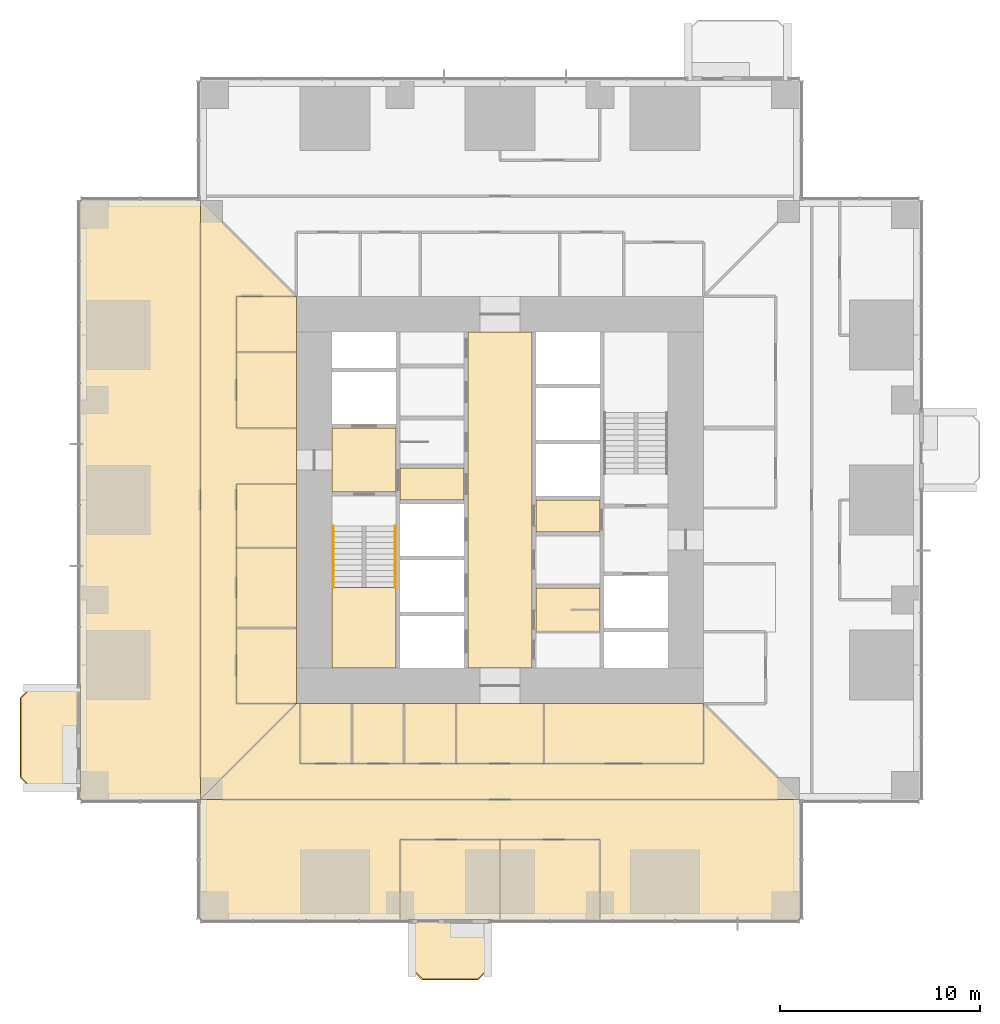
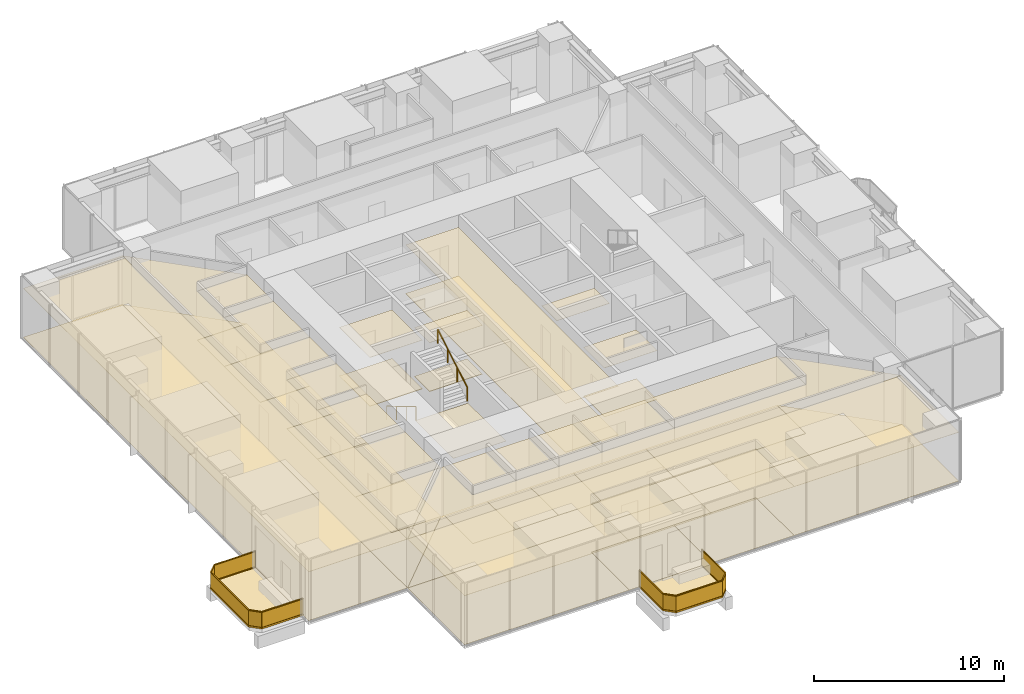
# One storey, part 15 of 17: 44 coverings, 4 railings.
"""IFC4 building model written with IfcOpenShell, lengths in metres."""

from ifc_helpers import new_model, si_unit, direction, frame, origin, origin_2d, place, context, subcontext, project, spatial, polyline, rectangle, circle, outline, extrude, material, layer, layer_set, type_object, element, save


model = new_model("IFC4")

# Units and contexts
model_context = context("Model", 3, precision=1e-05, world=origin(), true_north=direction((0.0, 1.0)))
body_context = subcontext(model_context, "Body", "Model", "MODEL_VIEW")
ifc_project = project(units=[si_unit("LENGTHUNIT", "METRE"), si_unit("AREAUNIT", "SQUARE_METRE"), si_unit("VOLUMEUNIT", "CUBIC_METRE"), si_unit("PLANEANGLEUNIT", "RADIAN"), si_unit("MASSUNIT", "GRAM", prefix="KILO")], contexts=[model_context])

# Site, building, storey
site_placement = place(None, origin())
site = spatial("IfcSite", under=ifc_project, at=site_placement, CompositionType="ELEMENT")
building_placement = place(site_placement, origin())
building = spatial("IfcBuilding", under=site, at=building_placement, Name="Svetlomir Tower", CompositionType="ELEMENT")
storey_placement = place(building_placement, frame((0.0, 0.0, 62.5)))
storey = spatial("IfcBuildingStorey", under=building, at=storey_placement, Name="L14", CompositionType="ELEMENT", Elevation=62.5)

# Railings
ifc_material_1 = material(Name="Bronze anodised aluminium and laminated glass", Category="aluminium")
railing_type_1 = type_object("IfcRailingType", Name="BALCONY GUARD GR1 1100", PredefinedType="GUARDRAIL", material=ifc_material_1)
railing_1_placement = place(storey_placement, frame((16.60009765625, 0.0, 0.0)))
element("IfcRailing", 1, at=railing_1_placement, inside=storey, type_object=railing_type_1, Name="Balcony guard S L14", PredefinedType="GUARDRAIL", context=body_context, shape_type="SweptSolid", body=[
    extrude(rectangle(XDim=0.06005859375, YDim=0.10009765625, at=origin_2d()), frame((0.0, 0.0, 0.050048828125), z_axis=(0.0, -1.0, 0.0), x_axis=(1.0, 0.0, 0.0)), (0.0, 0.0, 1.0), 2.5),
    extrude(rectangle(XDim=0.021484375, YDim=0.960205078125, at=origin_2d()), frame((0.0, 0.0, 0.580078125), z_axis=(0.0, -1.0, 0.0), x_axis=(1.0, 0.0, 0.0)), (0.0, 0.0, 1.0), 2.5),
    extrude(rectangle(XDim=0.06005859375, YDim=0.0400390625, at=origin_2d()), frame((0.0, 0.0, 1.080078125), z_axis=(0.0, -1.0, 0.0), x_axis=(1.0, 0.0, 0.0)), (0.0, 0.0, 1.0), 2.5),
    extrude(rectangle(XDim=0.06005859375, YDim=0.10009765625, at=origin_2d()), frame((0.0, -2.5, 0.050048828125), z_axis=(0.707106781187, -0.707106781187, 0.0), x_axis=(0.707106781187, 0.707106781187, 0.0)), (0.0, 0.0, 1.0), 0.70703125),
    extrude(rectangle(XDim=0.021484375, YDim=0.960205078125, at=origin_2d()), frame((0.0, -2.5, 0.580078125), z_axis=(0.707106781187, -0.707106781187, 0.0), x_axis=(0.707106781187, 0.707106781187, 0.0)), (0.0, 0.0, 1.0), 0.70703125),
    extrude(rectangle(XDim=0.06005859375, YDim=0.0400390625, at=origin_2d()), frame((0.0, -2.5, 1.080078125), z_axis=(0.707106781187, -0.707106781187, 0.0), x_axis=(0.707106781187, 0.707106781187, 0.0)), (0.0, 0.0, 1.0), 0.70703125),
    extrude(rectangle(XDim=0.06005859375, YDim=0.10009765625, at=origin_2d()), frame((0.5, -3.0, 0.050048828125), z_axis=(1.0, 0.0, 0.0), x_axis=(0.0, 1.0, 0.0)), (0.0, 0.0, 1.0), 2.7998046875),
    extrude(rectangle(XDim=0.021484375, YDim=0.960205078125, at=origin_2d()), frame((0.5, -3.0, 0.580078125), z_axis=(1.0, 0.0, 0.0), x_axis=(0.0, 1.0, 0.0)), (0.0, 0.0, 1.0), 2.7998046875),
    extrude(rectangle(XDim=0.06005859375, YDim=0.0400390625, at=origin_2d()), frame((0.5, -3.0, 1.080078125), z_axis=(1.0, 0.0, 0.0), x_axis=(0.0, 1.0, 0.0)), (0.0, 0.0, 1.0), 2.7998046875),
    extrude(rectangle(XDim=0.06005859375, YDim=0.10009765625, at=origin_2d()), frame((3.2998046875, -3.0, 0.050048828125), z_axis=(0.707106781187, 0.707106781187, 0.0), x_axis=(-0.707106781187, 0.707106781187, 0.0)), (0.0, 0.0, 1.0), 0.70703125),
    extrude(rectangle(XDim=0.021484375, YDim=0.960205078125, at=origin_2d()), frame((3.2998046875, -3.0, 0.580078125), z_axis=(0.707106781187, 0.707106781187, 0.0), x_axis=(-0.707106781187, 0.707106781187, 0.0)), (0.0, 0.0, 1.0), 0.70703125),
    extrude(rectangle(XDim=0.06005859375, YDim=0.0400390625, at=origin_2d()), frame((3.2998046875, -3.0, 1.080078125), z_axis=(0.707106781187, 0.707106781187, 0.0), x_axis=(-0.707106781187, 0.707106781187, 0.0)), (0.0, 0.0, 1.0), 0.70703125),
    extrude(rectangle(XDim=0.06005859375, YDim=0.10009765625, at=origin_2d()), frame((3.7998046875, -2.5, 0.050048828125), z_axis=(0.0, 1.0, 0.0), x_axis=(-1.0, 0.0, 0.0)), (0.0, 0.0, 1.0), 2.5),
    extrude(rectangle(XDim=0.021484375, YDim=0.960205078125, at=origin_2d()), frame((3.7998046875, -2.5, 0.580078125), z_axis=(0.0, 1.0, 0.0), x_axis=(-1.0, 0.0, 0.0)), (0.0, 0.0, 1.0), 2.5),
    extrude(rectangle(XDim=0.06005859375, YDim=0.0400390625, at=origin_2d()), frame((3.7998046875, -2.5, 1.080078125), z_axis=(0.0, 1.0, 0.0), x_axis=(-1.0, 0.0, 0.0)), (0.0, 0.0, 1.0), 2.5),
])
railing_2_placement = place(storey_placement, frame((0.0, 11.60009765625, 0.0)))
element("IfcRailing", 2, at=railing_2_placement, inside=storey, type_object=railing_type_1, Name="Balcony guard W L14", PredefinedType="GUARDRAIL", context=body_context, shape_type="SweptSolid", body=[
    extrude(rectangle(XDim=0.06005859375, YDim=0.10009765625, at=origin_2d()), frame((0.0, 0.0, 0.050048828125), z_axis=(-1.0, 0.0, 0.0), x_axis=(0.0, -1.0, 0.0)), (0.0, 0.0, 1.0), 2.5),
    extrude(rectangle(XDim=0.021484375, YDim=0.960205078125, at=origin_2d()), frame((0.0, 0.0, 0.580078125), z_axis=(-1.0, 0.0, 0.0), x_axis=(0.0, -1.0, 0.0)), (0.0, 0.0, 1.0), 2.5),
    extrude(rectangle(XDim=0.06005859375, YDim=0.0400390625, at=origin_2d()), frame((0.0, 0.0, 1.080078125), z_axis=(-1.0, 0.0, 0.0), x_axis=(0.0, -1.0, 0.0)), (0.0, 0.0, 1.0), 2.5),
    extrude(rectangle(XDim=0.06005859375, YDim=0.10009765625, at=origin_2d()), frame((-2.5, 0.0, 0.050048828125), z_axis=(-0.707106781187, -0.707106781187, 0.0), x_axis=(0.707106781187, -0.707106781187, 0.0)), (0.0, 0.0, 1.0), 0.70703125),
    extrude(rectangle(XDim=0.021484375, YDim=0.960205078125, at=origin_2d()), frame((-2.5, 0.0, 0.580078125), z_axis=(-0.707106781187, -0.707106781187, 0.0), x_axis=(0.707106781187, -0.707106781187, 0.0)), (0.0, 0.0, 1.0), 0.70703125),
    extrude(rectangle(XDim=0.06005859375, YDim=0.0400390625, at=origin_2d()), frame((-2.5, 0.0, 1.080078125), z_axis=(-0.707106781187, -0.707106781187, 0.0), x_axis=(0.707106781187, -0.707106781187, 0.0)), (0.0, 0.0, 1.0), 0.70703125),
    extrude(rectangle(XDim=0.06005859375, YDim=0.10009765625, at=origin_2d()), frame((-3.0, -0.5, 0.050048828125), z_axis=(0.0, -1.0, 0.0), x_axis=(1.0, 0.0, 0.0)), (0.0, 0.0, 1.0), 4.0),
    extrude(rectangle(XDim=0.021484375, YDim=0.960205078125, at=origin_2d()), frame((-3.0, -0.5, 0.580078125), z_axis=(0.0, -1.0, 0.0), x_axis=(1.0, 0.0, 0.0)), (0.0, 0.0, 1.0), 4.0),
    extrude(rectangle(XDim=0.06005859375, YDim=0.0400390625, at=origin_2d()), frame((-3.0, -0.5, 1.080078125), z_axis=(0.0, -1.0, 0.0), x_axis=(1.0, 0.0, 0.0)), (0.0, 0.0, 1.0), 4.0),
    extrude(rectangle(XDim=0.06005859375, YDim=0.10009765625, at=origin_2d()), frame((-3.0, -4.5, 0.050048828125), z_axis=(0.707106781187, -0.707106781187, 0.0), x_axis=(0.707106781187, 0.707106781187, 0.0)), (0.0, 0.0, 1.0), 0.70703125),
    extrude(rectangle(XDim=0.021484375, YDim=0.960205078125, at=origin_2d()), frame((-3.0, -4.5, 0.580078125), z_axis=(0.707106781187, -0.707106781187, 0.0), x_axis=(0.707106781187, 0.707106781187, 0.0)), (0.0, 0.0, 1.0), 0.70703125),
    extrude(rectangle(XDim=0.06005859375, YDim=0.0400390625, at=origin_2d()), frame((-3.0, -4.5, 1.080078125), z_axis=(0.707106781187, -0.707106781187, 0.0), x_axis=(0.707106781187, 0.707106781187, 0.0)), (0.0, 0.0, 1.0), 0.70703125),
    extrude(rectangle(XDim=0.06005859375, YDim=0.10009765625, at=origin_2d()), frame((-2.5, -5.0, 0.050048828125), z_axis=(1.0, 0.0, 0.0), x_axis=(0.0, 1.0, 0.0)), (0.0, 0.0, 1.0), 2.5),
    extrude(rectangle(XDim=0.021484375, YDim=0.960205078125, at=origin_2d()), frame((-2.5, -5.0, 0.580078125), z_axis=(1.0, 0.0, 0.0), x_axis=(0.0, 1.0, 0.0)), (0.0, 0.0, 1.0), 2.5),
    extrude(rectangle(XDim=0.06005859375, YDim=0.0400390625, at=origin_2d()), frame((-2.5, -5.0, 1.080078125), z_axis=(1.0, 0.0, 0.0), x_axis=(0.0, 1.0, 0.0)), (0.0, 0.0, 1.0), 2.5),
])

# Coverings
ifc_material_2 = material(Name="Granite paving slabs on pedestals", Category="masonry")
ifc_layer_1 = layer(ifc_material_2, 0.0400390625)
ifc_layer_set_1 = layer_set([ifc_layer_1], Name="Granite paving slabs on pedestals")
covering_type_1 = type_object("IfcCoveringType", Name="BALCONY PAVING 40", PredefinedType="USERDEFINED", material=ifc_layer_set_1)
covering_1_placement = place(storey_placement, origin())
element("IfcCovering", 3, at=covering_1_placement, inside=storey, type_object=covering_type_1, Name="Balcony paving S L14", ObjectType="BALCONY PAVING", PredefinedType="USERDEFINED", context=body_context, shape_type="SweptSolid", body=[
    extrude(outline(polyline([(16.60009765625, -2.5), (17.10009765625, -3.0), (19.89990234375, -3.0), (20.39990234375, -2.5), (20.39990234375, 0.0), (16.60009765625, 0.0), (16.60009765625, -2.5)])), origin(), (0.0, 0.0, 1.0), 0.0400390625),
])
covering_2_placement = place(storey_placement, origin())
element("IfcCovering", 4, at=covering_2_placement, inside=storey, type_object=covering_type_1, Name="Balcony paving W L14", ObjectType="BALCONY PAVING", PredefinedType="USERDEFINED", context=body_context, shape_type="SweptSolid", body=[
    extrude(outline(polyline([(-2.5, 6.60009765625), (0.0, 6.60009765625), (0.0, 11.60009765625), (-2.5, 11.60009765625), (-3.0, 11.10009765625), (-3.0, 7.10009765625), (-2.5, 6.60009765625)])), origin(), (0.0, 0.0, 1.0), 0.0400390625),
])
ifc_material_3 = material(Name="Carpet tile", Category="textile")
ifc_layer_2 = layer(ifc_material_3, 0.010009765625)
ifc_layer_set_2 = layer_set([ifc_layer_2], Name="Carpet tile")
covering_type_2 = type_object("IfcCoveringType", Name="CARPET TILE FLOOR 10", PredefinedType="FLOORING", material=ifc_layer_set_2)
covering_3_placement = place(storey_placement, origin())
element("IfcCovering", 5, at=covering_3_placement, inside=storey, type_object=covering_type_2, Name="Floor finish L14-14", PredefinedType="FLOORING", context=body_context, shape_type="SweptSolid", body=[
    extrude(outline(polyline([(11.0, 7.800048828125), (13.60009765625, 7.800048828125), (13.60009765625, 10.800048828125), (11.0, 10.800048828125), (11.0, 7.800048828125)])), origin(), (0.0, 0.0, 1.0), 0.010009765625),
])
covering_4_placement = place(storey_placement, origin())
element("IfcCovering", 6, at=covering_4_placement, inside=storey, type_object=covering_type_2, Name="Floor finish L14-15", PredefinedType="FLOORING", context=body_context, shape_type="SweptSolid", body=[
    extrude(outline(polyline([(13.60009765625, 7.800048828125), (16.199951171875, 7.800048828125), (16.199951171875, 10.800048828125), (13.60009765625, 10.800048828125), (13.60009765625, 7.800048828125)])), origin(), (0.0, 0.0, 1.0), 0.010009765625),
])
covering_5_placement = place(storey_placement, origin())
element("IfcCovering", 7, at=covering_5_placement, inside=storey, type_object=covering_type_2, Name="Floor finish L14-16", PredefinedType="FLOORING", context=body_context, shape_type="SweptSolid", body=[
    extrude(outline(polyline([(16.199951171875, 7.800048828125), (18.800048828125, 7.800048828125), (18.800048828125, 10.800048828125), (16.199951171875, 10.800048828125), (16.199951171875, 7.800048828125)])), origin(), (0.0, 0.0, 1.0), 0.010009765625),
])
covering_6_placement = place(storey_placement, origin())
element("IfcCovering", 8, at=covering_6_placement, inside=storey, type_object=covering_type_2, Name="Floor finish L14-17", PredefinedType="FLOORING", context=body_context, shape_type="SweptSolid", body=[
    extrude(outline(polyline([(23.199951171875, 7.800048828125), (31.199951171875, 7.800048828125), (31.199951171875, 10.800048828125), (23.199951171875, 10.800048828125), (23.199951171875, 7.800048828125)])), origin(), (0.0, 0.0, 1.0), 0.010009765625),
])
covering_7_placement = place(storey_placement, origin())
element("IfcCovering", 9, at=covering_7_placement, inside=storey, type_object=covering_type_2, Name="Floor finish L14-18", PredefinedType="FLOORING", context=body_context, shape_type="SweptSolid", body=[
    extrude(outline(polyline([(16.0, 0.0), (21.0, 0.0), (21.0, 4.0), (16.0, 4.0), (16.0, 0.0)])), origin(), (0.0, 0.0, 1.0), 0.010009765625),
])
covering_8_placement = place(storey_placement, origin())
element("IfcCovering", 10, at=covering_8_placement, inside=storey, type_object=covering_type_2, Name="Floor finish L14-19", PredefinedType="FLOORING", context=body_context, shape_type="SweptSolid", body=[
    extrude(outline(polyline([(21.0, 0.0), (26.0, 0.0), (26.0, 4.0), (21.0, 4.0), (21.0, 0.0)])), origin(), (0.0, 0.0, 1.0), 0.010009765625),
])
covering_9_placement = place(storey_placement, origin())
element("IfcCovering", 11, at=covering_9_placement, inside=storey, type_object=covering_type_2, Name="Floor finish L14-30", PredefinedType="FLOORING", context=body_context, shape_type="SweptSolid", body=[
    extrude(outline(polyline([(7.800048828125, 10.800048828125), (10.800048828125, 10.800048828125), (10.800048828125, 14.60009765625), (7.800048828125, 14.60009765625), (7.800048828125, 10.800048828125)])), origin(), (0.0, 0.0, 1.0), 0.010009765625),
])
covering_10_placement = place(storey_placement, origin())
element("IfcCovering", 12, at=covering_10_placement, inside=storey, type_object=covering_type_2, Name="Floor finish L14-31", PredefinedType="FLOORING", context=body_context, shape_type="SweptSolid", body=[
    extrude(outline(polyline([(7.800048828125, 14.60009765625), (10.800048828125, 14.60009765625), (10.800048828125, 18.60009765625), (7.800048828125, 18.60009765625), (7.800048828125, 14.60009765625)])), origin(), (0.0, 0.0, 1.0), 0.010009765625),
])
covering_11_placement = place(storey_placement, origin())
element("IfcCovering", 13, at=covering_11_placement, inside=storey, type_object=covering_type_2, Name="Floor finish L14-32", PredefinedType="FLOORING", context=body_context, shape_type="SweptSolid", body=[
    extrude(outline(polyline([(7.800048828125, 24.60009765625), (10.800048828125, 24.60009765625), (10.800048828125, 28.39990234375), (7.800048828125, 28.39990234375), (7.800048828125, 24.60009765625)])), origin(), (0.0, 0.0, 1.0), 0.010009765625),
])
covering_12_placement = place(storey_placement, origin())
element("IfcCovering", 14, at=covering_12_placement, inside=storey, type_object=covering_type_2, Name="Floor finish L14-33", PredefinedType="FLOORING", context=body_context, shape_type="SweptSolid", body=[
    extrude(outline(polyline([(36.0, 6.0), (6.0, 6.0), (10.800048828125, 10.800048828125), (11.0, 10.800048828125), (11.0, 7.800048828125), (31.199951171875, 7.800048828125), (31.199951171875, 10.800048828125), (36.0, 6.0)])), origin(), (0.0, 0.0, 1.0), 0.010009765625),
])
covering_13_placement = place(storey_placement, origin())
element("IfcCovering", 15, at=covering_13_placement, inside=storey, type_object=covering_type_2, Name="Floor finish L14-36", PredefinedType="FLOORING", context=body_context, shape_type="SweptSolid", body=[
    extrude(outline(polyline([(6.0, 36.0), (10.800048828125, 31.199951171875), (7.800048828125, 31.199951171875), (7.800048828125, 24.60009765625), (10.800048828125, 24.60009765625), (10.800048828125, 21.800048828125), (7.800048828125, 21.800048828125), (7.800048828125, 10.800048828125), (10.800048828125, 10.800048828125), (6.0, 6.0), (6.0, 36.0)])), origin(), (0.0, 0.0, 1.0), 0.010009765625),
])
covering_14_placement = place(storey_placement, origin())
element("IfcCovering", 16, at=covering_14_placement, inside=storey, type_object=covering_type_2, Name="Floor finish L14-37", PredefinedType="FLOORING", context=body_context, shape_type="SweptSolid", body=[
    extrude(outline(polyline([(36.0, 6.0), (36.0, 0.0), (26.0, 0.0), (26.0, 4.0), (16.0, 4.0), (16.0, 0.0), (6.0, 0.0), (6.0, 6.0), (36.0, 6.0)])), origin(), (0.0, 0.0, 1.0), 0.010009765625),
])
covering_15_placement = place(storey_placement, origin())
element("IfcCovering", 17, at=covering_15_placement, inside=storey, type_object=covering_type_2, Name="Floor finish L14-38", PredefinedType="FLOORING", context=body_context, shape_type="SweptSolid", body=[
    extrude(outline(polyline([(23.199951171875, 10.800048828125), (23.199951171875, 7.800048828125), (18.800048828125, 7.800048828125), (18.800048828125, 10.800048828125), (23.199951171875, 10.800048828125)])), origin(), (0.0, 0.0, 1.0), 0.010009765625),
])
covering_16_placement = place(storey_placement, origin())
element("IfcCovering", 18, at=covering_16_placement, inside=storey, type_object=covering_type_2, Name="Floor finish L14-43", PredefinedType="FLOORING", context=body_context, shape_type="SweptSolid", body=[
    extrude(outline(polyline([(0.0, 36.0), (6.0, 36.0), (6.0, 6.0), (0.0, 6.0), (0.0, 36.0)])), origin(), (0.0, 0.0, 1.0), 0.010009765625),
])
covering_17_placement = place(storey_placement, origin())
element("IfcCovering", 19, at=covering_17_placement, inside=storey, type_object=covering_type_2, Name="Floor finish L14-44", PredefinedType="FLOORING", context=body_context, shape_type="SweptSolid", body=[
    extrude(outline(polyline([(7.800048828125, 28.39990234375), (7.800048828125, 31.199951171875), (10.800048828125, 31.199951171875), (10.800048828125, 28.39990234375), (7.800048828125, 28.39990234375)])), origin(), (0.0, 0.0, 1.0), 0.010009765625),
])
covering_18_placement = place(storey_placement, origin())
element("IfcCovering", 20, at=covering_18_placement, inside=storey, type_object=covering_type_2, Name="Floor finish L14-45", PredefinedType="FLOORING", context=body_context, shape_type="SweptSolid", body=[
    extrude(outline(polyline([(7.800048828125, 18.60009765625), (7.800048828125, 21.800048828125), (10.800048828125, 21.800048828125), (10.800048828125, 18.60009765625), (7.800048828125, 18.60009765625)])), origin(), (0.0, 0.0, 1.0), 0.010009765625),
])
ifc_material_4 = material(Name="Ceramic floor tile", Category="ceramic")
ifc_layer_3 = layer(ifc_material_4, 0.014892578125)
ifc_layer_set_3 = layer_set([ifc_layer_3], Name="Ceramic floor tile")
covering_type_3 = type_object("IfcCoveringType", Name="CERAMIC TILE FLOOR 15", PredefinedType="FLOORING", material=ifc_layer_set_3)
covering_19_placement = place(storey_placement, origin())
element("IfcCovering", 21, at=covering_19_placement, inside=storey, type_object=covering_type_3, Name="Floor finish L14-09", PredefinedType="FLOORING", context=body_context, shape_type="SweptSolid", body=[
    extrude(outline(polyline([(22.800048828125, 14.39990234375), (26.0, 14.39990234375), (26.0, 16.60009765625), (22.800048828125, 16.60009765625), (22.800048828125, 14.39990234375)])), origin(), (0.0, 0.0, 1.0), 0.014892578125),
])

# Railings
ifc_material_5 = material(Name="Stainless steel", Category="steel")
railing_type_2 = type_object("IfcRailingType", Name="HANDRAIL HR1 900", PredefinedType="HANDRAIL", material=ifc_material_5)
railing_3_placement = place(storey_placement, frame((12.64990234375, 19.699951171875, 0.166748046875)))
element("IfcRailing", 22, at=railing_3_placement, inside=storey, type_object=railing_type_2, Name="Handrail S1 flight 1 L14", PredefinedType="HANDRAIL", context=body_context, shape_type="SweptSolid", body=[
    extrude(circle(Radius=0.02392578125, at=origin_2d()), frame((0.0, 0.0, 0.8759765625), z_axis=(0.0, -0.859290745958, 0.51148745235), x_axis=(1.0, 0.0, 0.0)), (0.0, 0.0, 1.0), 3.584228515625),
    extrude(circle(Radius=0.02099609375, at=origin_2d()), origin(), (0.0, 0.0, 1.0), 0.851806640625),
    extrude(circle(Radius=0.02099609375, at=origin_2d()), frame((0.0, -1.026611328125, 0.611083984375)), (0.0, 0.0, 1.0), 0.851806640625),
    extrude(circle(Radius=0.02099609375, at=origin_2d()), frame((0.0, -2.05322265625, 1.22216796875)), (0.0, 0.0, 1.0), 0.851806640625),
    extrude(circle(Radius=0.02099609375, at=origin_2d()), frame((0.0, -3.079833984375, 1.833251953125)), (0.0, 0.0, 1.0), 0.851806640625),
])
railing_4_placement = place(storey_placement, frame((15.75, 16.6201171875, 2.166748046875)))
element("IfcRailing", 23, at=railing_4_placement, inside=storey, type_object=railing_type_2, Name="Handrail S1 flight 2 L14", PredefinedType="HANDRAIL", context=body_context, shape_type="SweptSolid", body=[
    extrude(circle(Radius=0.02392578125, at=origin_2d()), frame((0.0, 0.0, 0.8759765625), z_axis=(0.0, 0.859290745958, 0.51148745235), x_axis=(-1.0, 0.0, 0.0)), (0.0, 0.0, 1.0), 3.584228515625),
    extrude(circle(Radius=0.02099609375, at=origin_2d()), origin(), (0.0, 0.0, 1.0), 0.851806640625),
    extrude(circle(Radius=0.02099609375, at=origin_2d()), frame((0.0, 1.026611328125, 0.611083984375)), (0.0, 0.0, 1.0), 0.851806640625),
    extrude(circle(Radius=0.02099609375, at=origin_2d()), frame((0.0, 2.05322265625, 1.22216796875)), (0.0, 0.0, 1.0), 0.851806640625),
    extrude(circle(Radius=0.02099609375, at=origin_2d()), frame((0.0, 3.079833984375, 1.833251953125)), (0.0, 0.0, 1.0), 0.851806640625),
])

# Coverings
ifc_material_6 = material(Name="Moisture resistant plasterboard ceiling", Category="gypsum")
ifc_layer_4 = layer(ifc_material_6, 0.012451171875)
ifc_layer_set_4 = layer_set([ifc_layer_4], Name="Moisture resistant plasterboard ceiling")
covering_type_4 = type_object("IfcCoveringType", Name="MOISTURE RESISTANT CEILING 12.5", PredefinedType="CEILING", material=ifc_layer_set_4)
covering_20_placement = place(storey_placement, frame((0.0, 0.0, 3.137451171875)))
element("IfcCovering", 24, at=covering_20_placement, inside=storey, type_object=covering_type_4, Name="Ceiling L14-09", PredefinedType="CEILING", context=body_context, shape_type="SweptSolid", body=[
    extrude(outline(polyline([(22.800048828125, 14.39990234375), (26.0, 14.39990234375), (26.0, 16.60009765625), (22.800048828125, 16.60009765625), (22.800048828125, 14.39990234375)])), origin(), (0.0, 0.0, 1.0), 0.012451171875),
])
ifc_material_7 = material(Name="Gypsum plasterboard ceiling", Category="gypsum")
ifc_layer_5 = layer(ifc_material_7, 0.014892578125)
ifc_layer_set_5 = layer_set([ifc_layer_5], Name="Gypsum plasterboard ceiling")
covering_type_5 = type_object("IfcCoveringType", Name="PLASTERBOARD CEILING 15", PredefinedType="CEILING", material=ifc_layer_set_5)
covering_21_placement = place(storey_placement, frame((0.0, 0.0, 3.135009765625)))
element("IfcCovering", 25, at=covering_21_placement, inside=storey, type_object=covering_type_5, Name="Ceiling L14-02", PredefinedType="CEILING", context=body_context, shape_type="SweptSolid", body=[
    extrude(outline(polyline([(12.60009765625, 21.39990234375), (15.800048828125, 21.39990234375), (15.800048828125, 24.60009765625), (12.60009765625, 24.60009765625), (12.60009765625, 21.39990234375)])), origin(), (0.0, 0.0, 1.0), 0.014892578125),
])
covering_22_placement = place(storey_placement, frame((0.0, 0.0, 3.135009765625)))
element("IfcCovering", 26, at=covering_22_placement, inside=storey, type_object=covering_type_5, Name="Ceiling L14-03", PredefinedType="CEILING", context=body_context, shape_type="SweptSolid", body=[
    extrude(outline(polyline([(16.0, 21.0), (19.199951171875, 21.0), (19.199951171875, 22.60009765625), (16.0, 22.60009765625), (16.0, 21.0)])), origin(), (0.0, 0.0, 1.0), 0.014892578125),
])
covering_23_placement = place(storey_placement, frame((0.0, 0.0, 3.135009765625)))
element("IfcCovering", 27, at=covering_23_placement, inside=storey, type_object=covering_type_5, Name="Ceiling L14-07", PredefinedType="CEILING", context=body_context, shape_type="SweptSolid", body=[
    extrude(outline(polyline([(19.39990234375, 12.60009765625), (22.60009765625, 12.60009765625), (22.60009765625, 29.39990234375), (19.39990234375, 29.39990234375), (19.39990234375, 12.60009765625)])), origin(), (0.0, 0.0, 1.0), 0.014892578125),
])
covering_24_placement = place(storey_placement, frame((0.0, 0.0, 3.135009765625)))
element("IfcCovering", 28, at=covering_24_placement, inside=storey, type_object=covering_type_5, Name="Ceiling L14-11", PredefinedType="CEILING", context=body_context, shape_type="SweptSolid", body=[
    extrude(outline(polyline([(22.800048828125, 19.39990234375), (26.0, 19.39990234375), (26.0, 21.0), (22.800048828125, 21.0), (22.800048828125, 19.39990234375)])), origin(), (0.0, 0.0, 1.0), 0.014892578125),
])
ifc_material_8 = material(Name="Studded rubber floor finish", Category="rubber")
ifc_layer_6 = layer(ifc_material_8, 0.006103515625)
ifc_layer_set_6 = layer_set([ifc_layer_6], Name="Studded rubber floor finish")
covering_type_6 = type_object("IfcCoveringType", Name="RUBBER LANDING FINISH 6", PredefinedType="FLOORING", material=ifc_layer_set_6)
covering_25_placement = place(storey_placement, frame((0.0, 0.0, 2.0)))
element("IfcCovering", 29, at=covering_25_placement, inside=storey, type_object=covering_type_6, Name="Stair S1 landing finish L14", PredefinedType="FLOORING", context=body_context, shape_type="SweptSolid", body=[
    extrude(outline(polyline([(12.60009765625, 12.60009765625), (15.800048828125, 12.60009765625), (15.800048828125, 16.6201171875), (12.60009765625, 16.6201171875), (12.60009765625, 12.60009765625)])), origin(), (0.0, 0.0, 1.0), 0.006103515625),
])
ifc_material_9 = material(Name="Mineral fibre ceiling tile", Category="mineral")
ifc_layer_7 = layer(ifc_material_9, 0.02001953125)
ifc_layer_set_7 = layer_set([ifc_layer_7], Name="Mineral fibre ceiling tile")
covering_type_7 = type_object("IfcCoveringType", Name="SUSPENDED CEILING 20", PredefinedType="CEILING", material=ifc_layer_set_7)
covering_26_placement = place(storey_placement, frame((0.0, 0.0, 3.1298828125)))
element("IfcCovering", 30, at=covering_26_placement, inside=storey, type_object=covering_type_7, Name="Ceiling L14-14", PredefinedType="CEILING", context=body_context, shape_type="SweptSolid", body=[
    extrude(outline(polyline([(11.0, 7.800048828125), (13.60009765625, 7.800048828125), (13.60009765625, 10.800048828125), (11.0, 10.800048828125), (11.0, 7.800048828125)])), origin(), (0.0, 0.0, 1.0), 0.02001953125),
])
covering_27_placement = place(storey_placement, frame((0.0, 0.0, 3.1298828125)))
element("IfcCovering", 31, at=covering_27_placement, inside=storey, type_object=covering_type_7, Name="Ceiling L14-15", PredefinedType="CEILING", context=body_context, shape_type="SweptSolid", body=[
    extrude(outline(polyline([(13.60009765625, 7.800048828125), (16.199951171875, 7.800048828125), (16.199951171875, 10.800048828125), (13.60009765625, 10.800048828125), (13.60009765625, 7.800048828125)])), origin(), (0.0, 0.0, 1.0), 0.02001953125),
])
covering_28_placement = place(storey_placement, frame((0.0, 0.0, 3.1298828125)))
element("IfcCovering", 32, at=covering_28_placement, inside=storey, type_object=covering_type_7, Name="Ceiling L14-16", PredefinedType="CEILING", context=body_context, shape_type="SweptSolid", body=[
    extrude(outline(polyline([(16.199951171875, 7.800048828125), (18.800048828125, 7.800048828125), (18.800048828125, 10.800048828125), (16.199951171875, 10.800048828125), (16.199951171875, 7.800048828125)])), origin(), (0.0, 0.0, 1.0), 0.02001953125),
])
covering_29_placement = place(storey_placement, frame((0.0, 0.0, 3.1298828125)))
element("IfcCovering", 33, at=covering_29_placement, inside=storey, type_object=covering_type_7, Name="Ceiling L14-17", PredefinedType="CEILING", context=body_context, shape_type="SweptSolid", body=[
    extrude(outline(polyline([(23.199951171875, 7.800048828125), (31.199951171875, 7.800048828125), (31.199951171875, 10.800048828125), (23.199951171875, 10.800048828125), (23.199951171875, 7.800048828125)])), origin(), (0.0, 0.0, 1.0), 0.02001953125),
])
covering_30_placement = place(storey_placement, frame((0.0, 0.0, 3.1298828125)))
element("IfcCovering", 34, at=covering_30_placement, inside=storey, type_object=covering_type_7, Name="Ceiling L14-18", PredefinedType="CEILING", context=body_context, shape_type="SweptSolid", body=[
    extrude(outline(polyline([(16.0, 0.0), (21.0, 0.0), (21.0, 4.0), (16.0, 4.0), (16.0, 0.0)])), origin(), (0.0, 0.0, 1.0), 0.02001953125),
])
covering_31_placement = place(storey_placement, frame((0.0, 0.0, 3.1298828125)))
element("IfcCovering", 35, at=covering_31_placement, inside=storey, type_object=covering_type_7, Name="Ceiling L14-19", PredefinedType="CEILING", context=body_context, shape_type="SweptSolid", body=[
    extrude(outline(polyline([(21.0, 0.0), (26.0, 0.0), (26.0, 4.0), (21.0, 4.0), (21.0, 0.0)])), origin(), (0.0, 0.0, 1.0), 0.02001953125),
])
covering_32_placement = place(storey_placement, frame((0.0, 0.0, 3.1298828125)))
element("IfcCovering", 36, at=covering_32_placement, inside=storey, type_object=covering_type_7, Name="Ceiling L14-30", PredefinedType="CEILING", context=body_context, shape_type="SweptSolid", body=[
    extrude(outline(polyline([(7.800048828125, 10.800048828125), (10.800048828125, 10.800048828125), (10.800048828125, 14.60009765625), (7.800048828125, 14.60009765625), (7.800048828125, 10.800048828125)])), origin(), (0.0, 0.0, 1.0), 0.02001953125),
])
covering_33_placement = place(storey_placement, frame((0.0, 0.0, 3.1298828125)))
element("IfcCovering", 37, at=covering_33_placement, inside=storey, type_object=covering_type_7, Name="Ceiling L14-31", PredefinedType="CEILING", context=body_context, shape_type="SweptSolid", body=[
    extrude(outline(polyline([(7.800048828125, 14.60009765625), (10.800048828125, 14.60009765625), (10.800048828125, 18.60009765625), (7.800048828125, 18.60009765625), (7.800048828125, 14.60009765625)])), origin(), (0.0, 0.0, 1.0), 0.02001953125),
])
covering_34_placement = place(storey_placement, frame((0.0, 0.0, 3.1298828125)))
element("IfcCovering", 38, at=covering_34_placement, inside=storey, type_object=covering_type_7, Name="Ceiling L14-32", PredefinedType="CEILING", context=body_context, shape_type="SweptSolid", body=[
    extrude(outline(polyline([(7.800048828125, 24.60009765625), (10.800048828125, 24.60009765625), (10.800048828125, 28.39990234375), (7.800048828125, 28.39990234375), (7.800048828125, 24.60009765625)])), origin(), (0.0, 0.0, 1.0), 0.02001953125),
])
covering_35_placement = place(storey_placement, frame((0.0, 0.0, 3.1298828125)))
element("IfcCovering", 39, at=covering_35_placement, inside=storey, type_object=covering_type_7, Name="Ceiling L14-33", PredefinedType="CEILING", context=body_context, shape_type="SweptSolid", body=[
    extrude(outline(polyline([(36.0, 6.0), (6.0, 6.0), (10.800048828125, 10.800048828125), (11.0, 10.800048828125), (11.0, 7.800048828125), (31.199951171875, 7.800048828125), (31.199951171875, 10.800048828125), (36.0, 6.0)])), origin(), (0.0, 0.0, 1.0), 0.02001953125),
])
covering_36_placement = place(storey_placement, frame((0.0, 0.0, 3.1298828125)))
element("IfcCovering", 40, at=covering_36_placement, inside=storey, type_object=covering_type_7, Name="Ceiling L14-36", PredefinedType="CEILING", context=body_context, shape_type="SweptSolid", body=[
    extrude(outline(polyline([(6.0, 36.0), (10.800048828125, 31.199951171875), (7.800048828125, 31.199951171875), (7.800048828125, 24.60009765625), (10.800048828125, 24.60009765625), (10.800048828125, 21.800048828125), (7.800048828125, 21.800048828125), (7.800048828125, 10.800048828125), (10.800048828125, 10.800048828125), (6.0, 6.0), (6.0, 36.0)])), origin(), (0.0, 0.0, 1.0), 0.02001953125),
])
covering_37_placement = place(storey_placement, frame((0.0, 0.0, 3.1298828125)))
element("IfcCovering", 41, at=covering_37_placement, inside=storey, type_object=covering_type_7, Name="Ceiling L14-37", PredefinedType="CEILING", context=body_context, shape_type="SweptSolid", body=[
    extrude(outline(polyline([(36.0, 6.0), (36.0, 0.0), (26.0, 0.0), (26.0, 4.0), (16.0, 4.0), (16.0, 0.0), (6.0, 0.0), (6.0, 6.0), (36.0, 6.0)])), origin(), (0.0, 0.0, 1.0), 0.02001953125),
])
covering_38_placement = place(storey_placement, frame((0.0, 0.0, 3.1298828125)))
element("IfcCovering", 42, at=covering_38_placement, inside=storey, type_object=covering_type_7, Name="Ceiling L14-38", PredefinedType="CEILING", context=body_context, shape_type="SweptSolid", body=[
    extrude(outline(polyline([(23.199951171875, 10.800048828125), (23.199951171875, 7.800048828125), (18.800048828125, 7.800048828125), (18.800048828125, 10.800048828125), (23.199951171875, 10.800048828125)])), origin(), (0.0, 0.0, 1.0), 0.02001953125),
])
covering_39_placement = place(storey_placement, frame((0.0, 0.0, 3.1298828125)))
element("IfcCovering", 43, at=covering_39_placement, inside=storey, type_object=covering_type_7, Name="Ceiling L14-43", PredefinedType="CEILING", context=body_context, shape_type="SweptSolid", body=[
    extrude(outline(polyline([(0.0, 36.0), (6.0, 36.0), (6.0, 6.0), (0.0, 6.0), (0.0, 36.0)])), origin(), (0.0, 0.0, 1.0), 0.02001953125),
])
covering_40_placement = place(storey_placement, frame((0.0, 0.0, 3.1298828125)))
element("IfcCovering", 44, at=covering_40_placement, inside=storey, type_object=covering_type_7, Name="Ceiling L14-44", PredefinedType="CEILING", context=body_context, shape_type="SweptSolid", body=[
    extrude(outline(polyline([(7.800048828125, 28.39990234375), (7.800048828125, 31.199951171875), (10.800048828125, 31.199951171875), (10.800048828125, 28.39990234375), (7.800048828125, 28.39990234375)])), origin(), (0.0, 0.0, 1.0), 0.02001953125),
])
covering_41_placement = place(storey_placement, frame((0.0, 0.0, 3.1298828125)))
element("IfcCovering", 45, at=covering_41_placement, inside=storey, type_object=covering_type_7, Name="Ceiling L14-45", PredefinedType="CEILING", context=body_context, shape_type="SweptSolid", body=[
    extrude(outline(polyline([(7.800048828125, 18.60009765625), (7.800048828125, 21.800048828125), (10.800048828125, 21.800048828125), (10.800048828125, 18.60009765625), (7.800048828125, 18.60009765625)])), origin(), (0.0, 0.0, 1.0), 0.02001953125),
])
ifc_material_10 = material(Name="Bronze-aggregate terrazzo", Category="stone")
ifc_layer_8 = layer(ifc_material_10, 0.030029296875)
ifc_layer_set_8 = layer_set([ifc_layer_8], Name="Bronze-aggregate terrazzo")
covering_type_8 = type_object("IfcCoveringType", Name="TERRAZZO FLOOR 30", PredefinedType="FLOORING", material=ifc_layer_set_8)
covering_42_placement = place(storey_placement, origin())
element("IfcCovering", 46, at=covering_42_placement, inside=storey, type_object=covering_type_8, Name="Floor finish L14-02", PredefinedType="FLOORING", context=body_context, shape_type="SweptSolid", body=[
    extrude(outline(polyline([(12.60009765625, 21.39990234375), (15.800048828125, 21.39990234375), (15.800048828125, 24.60009765625), (12.60009765625, 24.60009765625), (12.60009765625, 21.39990234375)])), origin(), (0.0, 0.0, 1.0), 0.030029296875),
])
covering_43_placement = place(storey_placement, origin())
element("IfcCovering", 47, at=covering_43_placement, inside=storey, type_object=covering_type_8, Name="Floor finish L14-03", PredefinedType="FLOORING", context=body_context, shape_type="SweptSolid", body=[
    extrude(outline(polyline([(16.0, 21.0), (19.199951171875, 21.0), (19.199951171875, 22.60009765625), (16.0, 22.60009765625), (16.0, 21.0)])), origin(), (0.0, 0.0, 1.0), 0.030029296875),
])
covering_44_placement = place(storey_placement, origin())
element("IfcCovering", 48, at=covering_44_placement, inside=storey, type_object=covering_type_8, Name="Floor finish L14-07", PredefinedType="FLOORING", context=body_context, shape_type="SweptSolid", body=[
    extrude(outline(polyline([(19.39990234375, 12.60009765625), (22.60009765625, 12.60009765625), (22.60009765625, 29.39990234375), (19.39990234375, 29.39990234375), (19.39990234375, 12.60009765625)])), origin(), (0.0, 0.0, 1.0), 0.030029296875),
])

save(model, "model.ifc")
